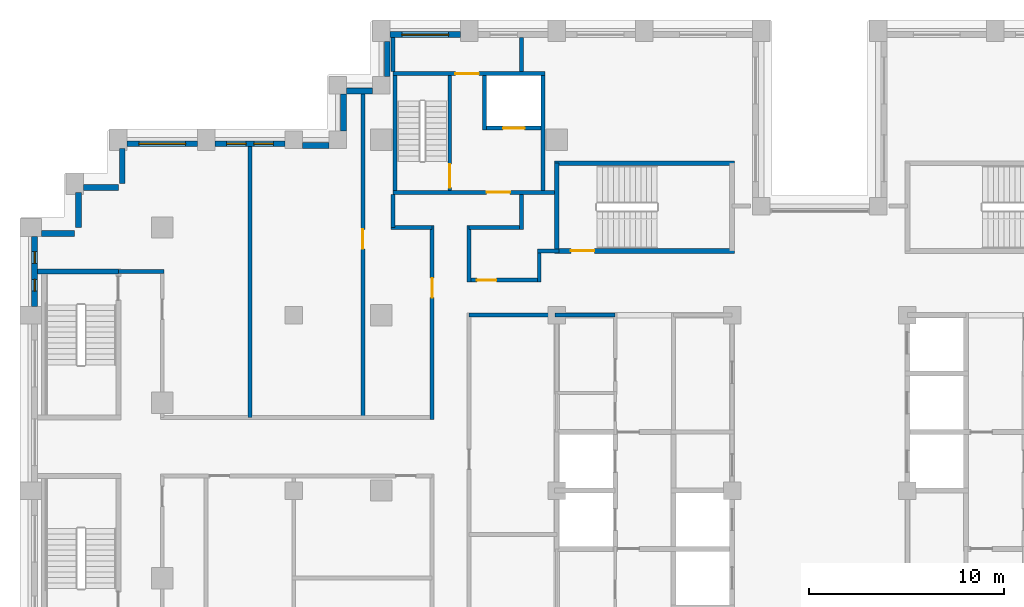
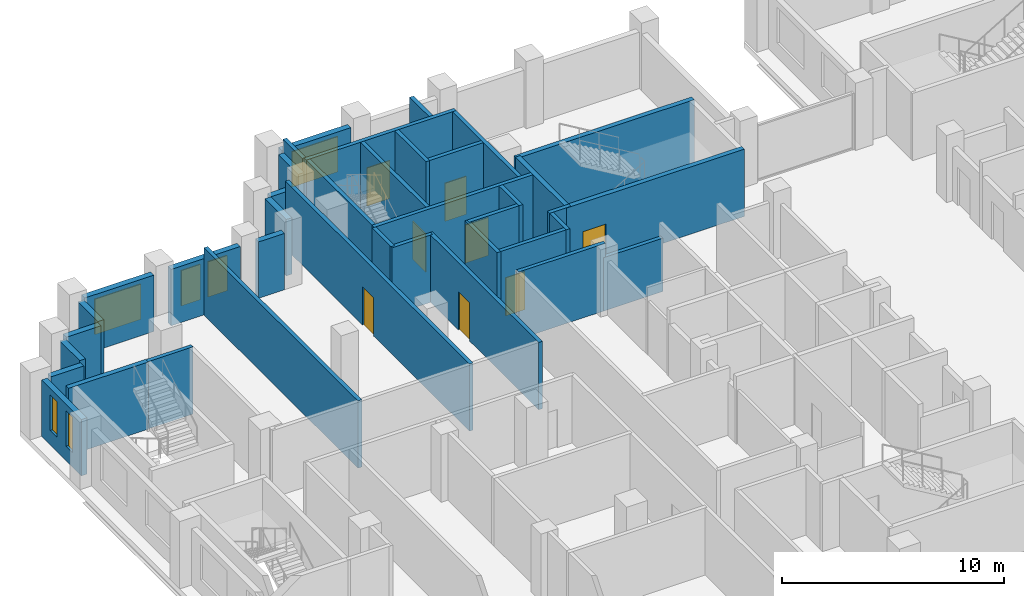
# One storey, part 10 of 16: 39 walls, 8 doors, 6 windows, 14 openings.
"""IFC4 building model written with IfcOpenShell, lengths in metres."""

from ifc_helpers import new_model, si_unit, direction, frame, frame_2d, origin, place, context, subcontext, project, spatial, rectangle, extrude, material, layer, layer_set, type_object, element, fill, save


model = new_model("IFC4")

# Units and contexts
model_context = context("Model", 3, precision=1e-05, world=origin(), true_north=direction((0.0, 1.0)))
body_context = subcontext(model_context, "Body", "Model", "MODEL_VIEW")
ifc_project = project(units=[si_unit("LENGTHUNIT", "METRE"), si_unit("AREAUNIT", "SQUARE_METRE"), si_unit("VOLUMEUNIT", "CUBIC_METRE"), si_unit("PLANEANGLEUNIT", "RADIAN"), si_unit("MASSUNIT", "GRAM", prefix="KILO")], contexts=[model_context])

# Site, building, storey
site_placement = place(None, origin())
site = spatial("IfcSite", under=ifc_project, at=site_placement, CompositionType="ELEMENT")
building_placement = place(site_placement, origin())
building = spatial("IfcBuilding", under=site, at=building_placement, Name="Corbelhall Arena Tower", CompositionType="ELEMENT")
storey_placement = place(building_placement, frame((0.0, 0.0, 158.0)))
storey = spatial("IfcBuildingStorey", under=building, at=storey_placement, Name="L31", CompositionType="ELEMENT", Elevation=158.0)

# Walls
ifc_material_1 = material(Name="Precast concrete C40/50 with granite facing", Category="masonry")
ifc_layer_1 = layer(ifc_material_1, 0.300048828125)
ifc_layer_set_1 = layer_set([ifc_layer_1], Name="EV-IW1 Infill panel 300")
wall_type_1 = type_object("IfcWallType", Name="EV-IW1 Infill panel 300", PredefinedType="SOLIDWALL", material=ifc_layer_set_1)
for number, where, z_axis, x_axis, name in (
    (1, (-35.800048828125, 17.550048828125, 0.0), (0.0, 0.0, 1.0), (0.0, -1.0, 0.0), "Infill panel IW1"),
    (2, (-37.800048828125, 15.550048828125, 0.0), (0.0, 0.0, 1.0), (1.0, 0.0, 0.0), "Infill panel IW1"),
    (3, (-38.050048828125, 15.300048828125, 0.0), (0.0, 0.0, 1.0), (0.0, -1.0, 0.0), "Infill panel IW1"),
):
    element("IfcWall", number, at=place(storey_placement, frame(where, z_axis=z_axis, x_axis=x_axis)), inside=storey, type_object=wall_type_1, Name=name, PredefinedType="SOLIDWALL", context=body_context, shape_type="SweptSolid", body=[
        extrude(rectangle(XDim=1.800048828125, YDim=0.300048828125, at=frame_2d((0.89990234375, 0.0))), origin(), (0.0, 0.0, 1.0), 3.10009765625),
    ])
wall_1_placement = place(storey_placement, frame((-39.949951171875, 13.199951171875, 0.0), z_axis=(0.0, 0.0, 1.0), x_axis=(1.0, 0.0, 0.0)))
element("IfcWall", 4, at=wall_1_placement, inside=storey, type_object=wall_type_1, Name="Infill panel IW1", PredefinedType="SOLIDWALL", context=body_context, shape_type="SweptSolid", body=[
    extrude(rectangle(XDim=1.699951171875, YDim=0.300048828125, at=frame_2d((0.85009765625, 0.0))), origin(), (0.0, 0.0, 1.0), 3.10009765625),
])
wall_2_placement = place(storey_placement, frame((-22.199951171875, 23.050048828125, 0.0), z_axis=(0.0, 0.0, 1.0), x_axis=(0.0, -1.0, 0.0)))
element("IfcWall", 5, at=wall_2_placement, inside=storey, type_object=wall_type_1, Name="Infill panel IW1", PredefinedType="SOLIDWALL", context=body_context, shape_type="SweptSolid", body=[
    extrude(rectangle(XDim=1.800048828125, YDim=0.300048828125, at=frame_2d((0.89990234375, 0.0))), origin(), (0.0, 0.0, 1.0), 3.10009765625),
])
wall_3_placement = place(storey_placement, frame((-22.949951171875, 20.5, 0.0), z_axis=(0.0, 0.0, 1.0), x_axis=(-1.0, 0.0, 0.0)))
element("IfcWall", 6, at=wall_3_placement, inside=storey, type_object=wall_type_1, Name="Infill panel IW1", PredefinedType="SOLIDWALL", context=body_context, shape_type="SweptSolid", body=[
    extrude(rectangle(XDim=1.35009765625, YDim=0.300048828125, at=frame_2d((0.675048828125, 0.0))), origin(), (0.0, 0.0, 1.0), 3.10009765625),
])
wall_4_placement = place(storey_placement, frame((-24.449951171875, 20.35009765625, 0.0), z_axis=(0.0, 0.0, 1.0), x_axis=(0.0, -1.0, 0.0)))
element("IfcWall", 7, at=wall_4_placement, inside=storey, type_object=wall_type_1, Name="Infill panel IW1", PredefinedType="SOLIDWALL", context=body_context, shape_type="SweptSolid", body=[
    extrude(rectangle(XDim=1.900146484375, YDim=0.300048828125, at=frame_2d((0.9501953125, 0.0))), origin(), (0.0, 0.0, 1.0), 3.10009765625),
])
wall_5_placement = place(storey_placement, frame((-25.199951171875, 17.699951171875, 0.0), z_axis=(0.0, 0.0, 1.0), x_axis=(-1.0, 0.0, 0.0)))
element("IfcWall", 8, at=wall_5_placement, inside=storey, type_object=wall_type_1, Name="Infill panel IW1", PredefinedType="SOLIDWALL", context=body_context, shape_type="SweptSolid", body=[
    extrude(rectangle(XDim=1.35009765625, YDim=0.300048828125, at=frame_2d((0.675048828125, 0.0))), origin(), (0.0, 0.0, 1.0), 3.10009765625),
])

# Wall, openings, windows
wall_6_placement = place(storey_placement, frame((-27.449951171875, 17.800048828125, 0.0), z_axis=(0.0, 0.0, 1.0), x_axis=(-1.0, 0.0, 0.0)))
wall_6 = element("IfcWall", 9, at=wall_6_placement, inside=storey, type_object=wall_type_1, Name="Infill panel IW1", PredefinedType="SOLIDWALL", context=body_context, shape_type="SweptSolid", body=[
    extrude(rectangle(XDim=3.60009765625, YDim=0.300048828125, at=frame_2d((1.800048828125, 0.0))), origin(), (0.0, 0.0, 1.0), 3.10009765625),
])
opening_1_placement = place(wall_6_placement, frame((0.60009765625, 0.0, 0.800048828125)))
opening_1 = element("IfcOpeningElement", 10, at=opening_1_placement, cuts=wall_6, Name="Opening WN6", PredefinedType="OPENING", context=body_context, shape_type="SweptSolid", body=[
    extrude(rectangle(XDim=1.0, YDim=1.949951171875, at=frame_2d((0.5, 0.97509765625))), frame((0.0, 0.14990234375, 0.0), z_axis=(0.0, -1.0, 0.0), x_axis=(1.0, 0.0, 0.0)), (0.0, 0.0, 1.0), 0.300048828125),
])
opening_2_placement = place(wall_6_placement, frame((2.0, 0.0, 0.800048828125)))
opening_2 = element("IfcOpeningElement", 11, at=opening_2_placement, cuts=wall_6, Name="Opening WN6", PredefinedType="OPENING", context=body_context, shape_type="SweptSolid", body=[
    extrude(rectangle(XDim=1.0, YDim=1.949951171875, at=frame_2d((0.5, 0.97509765625))), frame((0.0, 0.14990234375, 0.0), z_axis=(0.0, -1.0, 0.0), x_axis=(1.0, 0.0, 0.0)), (0.0, 0.0, 1.0), 0.300048828125),
])
ifc_material_2 = material(Name="Aluminium black anodised", Category="aluminium")
window_type_1 = type_object("IfcWindowType", Name="EV-WN6 Office window 1000", PartitioningType="SINGLE_PANEL", PredefinedType="WINDOW", material=ifc_material_2)
window_1_placement = place(opening_1_placement, origin())
window_1 = element("IfcWindow", 12, at=window_1_placement, inside=storey, type_object=window_type_1, Name="Window WN6", OverallHeight=1.949951171875, OverallWidth=1.0, PartitioningType="SINGLE_PANEL", PredefinedType="WINDOW", context=body_context, shape_type="SweptSolid", body=[
    extrude(rectangle(XDim=1.0, YDim=1.949951171875, at=frame_2d((0.5, 0.97509765625))), frame((0.0, 0.030029296875, 0.0), z_axis=(0.0, -1.0, 0.0), x_axis=(1.0, 0.0, 0.0)), (0.0, 0.0, 1.0), 0.06005859375),
])
fill(opening_1, window_1)
window_2_placement = place(opening_2_placement, origin())
window_2 = element("IfcWindow", 13, at=window_2_placement, inside=storey, type_object=window_type_1, Name="Window WN6", OverallHeight=1.949951171875, OverallWidth=1.0, PartitioningType="SINGLE_PANEL", PredefinedType="WINDOW", context=body_context, shape_type="SweptSolid", body=[
    extrude(rectangle(XDim=1.0, YDim=1.949951171875, at=frame_2d((0.5, 0.97509765625))), frame((0.0, 0.030029296875, 0.0), z_axis=(0.0, -1.0, 0.0), x_axis=(1.0, 0.0, 0.0)), (0.0, 0.0, 1.0), 0.06005859375),
])
fill(opening_2, window_2)

# Wall, opening, window
wall_7_placement = place(storey_placement, frame((-31.949951171875, 17.800048828125, 0.0), z_axis=(0.0, 0.0, 1.0), x_axis=(-1.0, 0.0, 0.0)))
wall_7 = element("IfcWall", 14, at=wall_7_placement, inside=storey, type_object=wall_type_1, Name="Infill panel IW1", PredefinedType="SOLIDWALL", context=body_context, shape_type="SweptSolid", body=[
    extrude(rectangle(XDim=3.60009765625, YDim=0.300048828125, at=frame_2d((1.800048828125, 0.0))), origin(), (0.0, 0.0, 1.0), 3.10009765625),
])
opening_3_placement = place(wall_7_placement, frame((0.60009765625, 0.0, 0.800048828125)))
opening_3 = element("IfcOpeningElement", 15, at=opening_3_placement, cuts=wall_7, Name="Opening WN1", PredefinedType="OPENING", context=body_context, shape_type="SweptSolid", body=[
    extrude(rectangle(XDim=2.39990234375, YDim=1.949951171875, at=frame_2d((1.199951171875, 0.97509765625))), frame((0.0, 0.14990234375, 0.0), z_axis=(0.0, -1.0, 0.0), x_axis=(1.0, 0.0, 0.0)), (0.0, 0.0, 1.0), 0.300048828125),
])
window_type_2 = type_object("IfcWindowType", Name="EV-WN1 Office window", PartitioningType="SINGLE_PANEL", PredefinedType="WINDOW", material=ifc_material_2)
window_3_placement = place(opening_3_placement, origin())
window_3 = element("IfcWindow", 16, at=window_3_placement, inside=storey, type_object=window_type_2, Name="Window WN1", OverallHeight=1.949951171875, OverallWidth=2.39990234375, PartitioningType="SINGLE_PANEL", PredefinedType="WINDOW", context=body_context, shape_type="SweptSolid", body=[
    extrude(rectangle(XDim=2.39990234375, YDim=1.949951171875, at=frame_2d((1.199951171875, 0.97509765625))), frame((0.0, 0.030029296875, 0.0), z_axis=(0.0, -1.0, 0.0), x_axis=(1.0, 0.0, 0.0)), (0.0, 0.0, 1.0), 0.06005859375),
])
fill(opening_3, window_3)

# Wall, openings, windows
wall_8_placement = place(storey_placement, frame((-40.300048828125, 13.050048828125, 0.0), z_axis=(0.0, 0.0, 1.0), x_axis=(0.0, -1.0, 0.0)))
wall_8 = element("IfcWall", 17, at=wall_8_placement, inside=storey, type_object=wall_type_1, Name="Infill panel IW1", PredefinedType="SOLIDWALL", context=body_context, shape_type="SweptSolid", body=[
    extrude(rectangle(XDim=3.60009765625, YDim=0.300048828125, at=frame_2d((1.800048828125, 0.0))), origin(), (0.0, 0.0, 1.0), 3.10009765625),
])
opening_4_placement = place(wall_8_placement, frame((0.78759765625, 0.0, 0.800048828125)))
opening_4 = element("IfcOpeningElement", 18, at=opening_4_placement, cuts=wall_8, Name="Opening WN5", PredefinedType="OPENING", context=body_context, shape_type="SweptSolid", body=[
    extrude(rectangle(XDim=0.60009765625, YDim=1.949951171875, at=frame_2d((0.300048828125, 0.97509765625))), frame((0.0, 0.14990234375, 0.0), z_axis=(0.0, -1.0, 0.0), x_axis=(1.0, 0.0, 0.0)), (0.0, 0.0, 1.0), 0.300048828125),
])
opening_5_placement = place(wall_8_placement, frame((2.21240234375, 0.0, 0.800048828125)))
opening_5 = element("IfcOpeningElement", 19, at=opening_5_placement, cuts=wall_8, Name="Opening WN5", PredefinedType="OPENING", context=body_context, shape_type="SweptSolid", body=[
    extrude(rectangle(XDim=0.60009765625, YDim=1.949951171875, at=frame_2d((0.300048828125, 0.97509765625))), frame((0.0, 0.14990234375, 0.0), z_axis=(0.0, -1.0, 0.0), x_axis=(1.0, 0.0, 0.0)), (0.0, 0.0, 1.0), 0.300048828125),
])
window_type_3 = type_object("IfcWindowType", Name="EV-WN5 Office window 600", PartitioningType="SINGLE_PANEL", PredefinedType="WINDOW", material=ifc_material_2)
window_4_placement = place(opening_4_placement, origin())
window_4 = element("IfcWindow", 20, at=window_4_placement, inside=storey, type_object=window_type_3, Name="Window WN5", OverallHeight=1.949951171875, OverallWidth=0.60009765625, PartitioningType="SINGLE_PANEL", PredefinedType="WINDOW", context=body_context, shape_type="SweptSolid", body=[
    extrude(rectangle(XDim=0.60009765625, YDim=1.949951171875, at=frame_2d((0.300048828125, 0.97509765625))), frame((0.0, 0.030029296875, 0.0), z_axis=(0.0, -1.0, 0.0), x_axis=(1.0, 0.0, 0.0)), (0.0, 0.0, 1.0), 0.06005859375),
])
fill(opening_4, window_4)
window_5_placement = place(opening_5_placement, origin())
window_5 = element("IfcWindow", 21, at=window_5_placement, inside=storey, type_object=window_type_3, Name="Window WN5", OverallHeight=1.949951171875, OverallWidth=0.60009765625, PartitioningType="SINGLE_PANEL", PredefinedType="WINDOW", context=body_context, shape_type="SweptSolid", body=[
    extrude(rectangle(XDim=0.60009765625, YDim=1.949951171875, at=frame_2d((0.300048828125, 0.97509765625))), frame((0.0, 0.030029296875, 0.0), z_axis=(0.0, -1.0, 0.0), x_axis=(1.0, 0.0, 0.0)), (0.0, 0.0, 1.0), 0.06005859375),
])
fill(opening_5, window_5)

# Wall, opening, window
wall_9_placement = place(storey_placement, frame((-18.449951171875, 23.39990234375, 0.0), z_axis=(0.0, 0.0, 1.0), x_axis=(-1.0, 0.0, 0.0)))
wall_9 = element("IfcWall", 22, at=wall_9_placement, inside=storey, type_object=wall_type_1, Name="Infill panel IW1", PredefinedType="SOLIDWALL", context=body_context, shape_type="SweptSolid", body=[
    extrude(rectangle(XDim=3.60009765625, YDim=0.300048828125, at=frame_2d((1.800048828125, 0.0))), origin(), (0.0, 0.0, 1.0), 3.10009765625),
])
opening_6_placement = place(wall_9_placement, frame((0.60009765625, 0.0, 0.800048828125)))
opening_6 = element("IfcOpeningElement", 23, at=opening_6_placement, cuts=wall_9, Name="Opening WN1", PredefinedType="OPENING", context=body_context, shape_type="SweptSolid", body=[
    extrude(rectangle(XDim=2.39990234375, YDim=1.949951171875, at=frame_2d((1.199951171875, 0.97509765625))), frame((0.0, 0.14990234375, 0.0), z_axis=(0.0, -1.0, 0.0), x_axis=(1.0, 0.0, 0.0)), (0.0, 0.0, 1.0), 0.300048828125),
])
window_6_placement = place(opening_6_placement, origin())
window_6 = element("IfcWindow", 24, at=window_6_placement, inside=storey, type_object=window_type_2, Name="Window WN1", OverallHeight=1.949951171875, OverallWidth=2.39990234375, PartitioningType="SINGLE_PANEL", PredefinedType="WINDOW", context=body_context, shape_type="SweptSolid", body=[
    extrude(rectangle(XDim=2.39990234375, YDim=1.949951171875, at=frame_2d((1.199951171875, 0.97509765625))), frame((0.0, 0.030029296875, 0.0), z_axis=(0.0, -1.0, 0.0), x_axis=(1.0, 0.0, 0.0)), (0.0, 0.0, 1.0), 0.06005859375),
])
fill(opening_6, window_6)

# Walls
ifc_material_3 = material(Name="Gypsum board on steel stud, acoustic", Category="steel")
ifc_layer_2 = layer(ifc_material_3, 0.199951171875)
ifc_layer_set_2 = layer_set([ifc_layer_2], Name="IN-W-DM200")
wall_type_2 = type_object("IfcWallType", Name="IN-W-DM200", PredefinedType="PARTITIONING", material=ifc_layer_set_2)
wall_10_placement = place(storey_placement, frame((-36.0, 11.25, 0.0), z_axis=(0.0, 0.0, 1.0), x_axis=(1.0, 0.0, 0.0)))
element("IfcWall", 25, at=wall_10_placement, inside=storey, type_object=wall_type_2, Name="Partition 001", PredefinedType="PARTITIONING", context=body_context, shape_type="SweptSolid", body=[
    extrude(rectangle(XDim=2.35009765625, YDim=0.199951171875, at=frame_2d((1.175048828125, 0.0))), origin(), (0.0, 0.0, 1.0), 3.699951171875),
])
wall_11_placement = place(storey_placement, frame((-29.25, 3.75, 0.0), z_axis=(0.0, 0.0, 1.0), x_axis=(0.0, 1.0, 0.0)))
element("IfcWall", 26, at=wall_11_placement, inside=storey, type_object=wall_type_2, Name="Partition 008", PredefinedType="PARTITIONING", context=body_context, shape_type="SweptSolid", body=[
    extrude(rectangle(XDim=13.89990234375, YDim=0.199951171875, at=frame_2d((6.949951171875, 0.0))), origin(), (0.0, 0.0, 1.0), 3.699951171875),
])

# Wall, opening, door
wall_12_placement = place(storey_placement, frame((-23.449951171875, 3.75, 0.0), z_axis=(0.0, 0.0, 1.0), x_axis=(0.0, 1.0, 0.0)))
wall_12 = element("IfcWall", 27, at=wall_12_placement, inside=storey, type_object=wall_type_2, Name="Partition 012", PredefinedType="PARTITIONING", context=body_context, shape_type="SweptSolid", body=[
    extrude(rectangle(XDim=16.60009765625, YDim=0.199951171875, at=frame_2d((8.300048828125, 0.0))), origin(), (0.0, 0.0, 1.0), 3.699951171875),
])
opening_7_placement = place(wall_12_placement, frame((8.64990234375, 0.0, 0.0)))
opening_7 = element("IfcOpeningElement", 28, at=opening_7_placement, cuts=wall_12, Name="Opening 08032", PredefinedType="OPENING", context=body_context, shape_type="SweptSolid", body=[
    extrude(rectangle(XDim=1.0, YDim=2.10009765625, at=frame_2d((0.5, 1.050048828125))), frame((0.0, 0.10009765625, 0.0), z_axis=(0.0, -1.0, 0.0), x_axis=(1.0, 0.0, 0.0)), (0.0, 0.0, 1.0), 0.199951171875),
])
ifc_material_4 = material(Name="Steel door set", Category="steel")
door_type_1 = type_object("IfcDoorType", Name="IN-D-SW100", OperationType="NOTDEFINED", PredefinedType="DOOR", material=ifc_material_4)
door_1_placement = place(opening_7_placement, origin())
door_1 = element("IfcDoor", 29, at=door_1_placement, inside=storey, type_object=door_type_1, Name="Door 032", OperationType="SINGLE_SWING_LEFT", OverallHeight=2.10009765625, OverallWidth=1.0, PredefinedType="DOOR", context=body_context, shape_type="SweptSolid", body=[
    extrude(rectangle(XDim=1.0, YDim=2.10009765625, at=frame_2d((0.5, 1.050048828125))), frame((0.0, 0.02490234375, 0.0), z_axis=(0.0, -1.0, 0.0), x_axis=(1.0, 0.0, 0.0)), (0.0, 0.0, 1.0), 0.050048828125),
])
fill(opening_7, door_1)

# Walls
wall_13_placement = place(storey_placement, frame((-21.89990234375, 13.5, 0.0), z_axis=(0.0, 0.0, 1.0), x_axis=(0.0, 1.0, 0.0)))
element("IfcWall", 30, at=wall_13_placement, inside=storey, type_object=wall_type_2, Name="Partition 013", PredefinedType="PARTITIONING", context=body_context, shape_type="SweptSolid", body=[
    extrude(rectangle(XDim=1.699951171875, YDim=0.199951171875, at=frame_2d((0.85009765625, 0.0))), origin(), (0.0, 0.0, 1.0), 3.699951171875),
])
wall_14_placement = place(storey_placement, frame((-21.89990234375, 21.5, 0.0), z_axis=(0.0, 0.0, 1.0), x_axis=(0.0, 1.0, 0.0)))
element("IfcWall", 31, at=wall_14_placement, inside=storey, type_object=wall_type_2, Name="Partition 014", PredefinedType="PARTITIONING", context=body_context, shape_type="SweptSolid", body=[
    extrude(rectangle(XDim=1.75, YDim=0.199951171875, at=frame_2d((0.875, 0.0))), origin(), (0.0, 0.0, 1.0), 3.699951171875),
])

# Wall, opening, door
wall_15_placement = place(storey_placement, frame((-19.89990234375, 3.64990234375, 0.0), z_axis=(0.0, 0.0, 1.0), x_axis=(0.0, 1.0, 0.0)))
wall_15 = element("IfcWall", 32, at=wall_15_placement, inside=storey, type_object=wall_type_2, Name="Partition 016", PredefinedType="PARTITIONING", context=body_context, shape_type="SweptSolid", body=[
    extrude(rectangle(XDim=9.9501953125, YDim=0.199951171875, at=frame_2d((4.97509765625, 0.0))), origin(), (0.0, 0.0, 1.0), 3.699951171875),
])
opening_8_placement = place(wall_15_placement, frame((6.25, 0.0, 0.0)))
opening_8 = element("IfcOpeningElement", 33, at=opening_8_placement, cuts=wall_15, Name="Opening 08031", PredefinedType="OPENING", context=body_context, shape_type="SweptSolid", body=[
    extrude(rectangle(XDim=1.0, YDim=2.10009765625, at=frame_2d((0.5, 1.050048828125))), frame((0.0, 0.10009765625, 0.0), z_axis=(0.0, -1.0, 0.0), x_axis=(1.0, 0.0, 0.0)), (0.0, 0.0, 1.0), 0.199951171875),
])
door_2_placement = place(opening_8_placement, origin())
door_2 = element("IfcDoor", 34, at=door_2_placement, inside=storey, type_object=door_type_1, Name="Door 031", OperationType="SINGLE_SWING_RIGHT", OverallHeight=2.10009765625, OverallWidth=1.0, PredefinedType="DOOR", context=body_context, shape_type="SweptSolid", body=[
    extrude(rectangle(XDim=1.0, YDim=2.10009765625, at=frame_2d((0.5, 1.050048828125))), frame((0.0, 0.02490234375, 0.0), z_axis=(0.0, -1.0, 0.0), x_axis=(1.0, 0.0, 0.0)), (0.0, 0.0, 1.0), 0.050048828125),
])
fill(opening_8, door_2)

# Wall
wall_16_placement = place(storey_placement, frame((-19.89990234375, 13.5, 0.0), z_axis=(0.0, 0.0, 1.0), x_axis=(-1.0, 0.0, 0.0)))
element("IfcWall", 35, at=wall_16_placement, inside=storey, type_object=wall_type_2, Name="Partition 017", PredefinedType="PARTITIONING", context=body_context, shape_type="SweptSolid", body=[
    extrude(rectangle(XDim=2.10009765625, YDim=0.199951171875, at=frame_2d((1.050048828125, 0.0))), origin(), (0.0, 0.0, 1.0), 3.699951171875),
])

# Wall, opening, door
wall_17_placement = place(storey_placement, frame((-18.0, 10.800048828125, 0.0), z_axis=(0.0, 0.0, 1.0), x_axis=(1.0, 0.0, 0.0)))
wall_17 = element("IfcWall", 36, at=wall_17_placement, inside=storey, type_object=wall_type_2, Name="Partition 022", PredefinedType="PARTITIONING", context=body_context, shape_type="SweptSolid", body=[
    extrude(rectangle(XDim=3.60009765625, YDim=0.199951171875, at=frame_2d((1.800048828125, 0.0))), origin(), (0.0, 0.0, 1.0), 3.699951171875),
])
opening_9_placement = place(wall_17_placement, frame((0.39990234375, 0.0, 0.0)))
opening_9 = element("IfcOpeningElement", 37, at=opening_9_placement, cuts=wall_17, Name="Opening 08027", PredefinedType="OPENING", context=body_context, shape_type="SweptSolid", body=[
    extrude(rectangle(XDim=1.0, YDim=2.10009765625, at=frame_2d((0.5, 1.050048828125))), frame((0.0, 0.10009765625, 0.0), z_axis=(0.0, -1.0, 0.0), x_axis=(1.0, 0.0, 0.0)), (0.0, 0.0, 1.0), 0.199951171875),
])
door_3_placement = place(opening_9_placement, origin())
door_3 = element("IfcDoor", 38, at=door_3_placement, inside=storey, type_object=door_type_1, Name="Door 027", OperationType="SINGLE_SWING_RIGHT", OverallHeight=2.10009765625, OverallWidth=1.0, PredefinedType="DOOR", context=body_context, shape_type="SweptSolid", body=[
    extrude(rectangle(XDim=1.0, YDim=2.10009765625, at=frame_2d((0.5, 1.050048828125))), frame((0.0, 0.02490234375, 0.0), z_axis=(0.0, -1.0, 0.0), x_axis=(1.0, 0.0, 0.0)), (0.0, 0.0, 1.0), 0.050048828125),
])
fill(opening_9, door_3)

# Walls
wall_18_placement = place(storey_placement, frame((-18.0, 13.60009765625, 0.0), z_axis=(0.0, 0.0, 1.0), x_axis=(0.0, -1.0, 0.0)))
element("IfcWall", 39, at=wall_18_placement, inside=storey, type_object=wall_type_2, Name="Partition 023", PredefinedType="PARTITIONING", context=body_context, shape_type="SweptSolid", body=[
    extrude(rectangle(XDim=2.900146484375, YDim=0.199951171875, at=frame_2d((1.4501953125, 0.0))), origin(), (0.0, 0.0, 1.0), 3.699951171875),
])
wall_19_placement = place(storey_placement, frame((-15.300048828125, 13.5, 0.0), z_axis=(0.0, 0.0, 1.0), x_axis=(-1.0, 0.0, 0.0)))
element("IfcWall", 40, at=wall_19_placement, inside=storey, type_object=wall_type_2, Name="Partition 024", PredefinedType="PARTITIONING", context=body_context, shape_type="SweptSolid", body=[
    extrude(rectangle(XDim=2.699951171875, YDim=0.199951171875, at=frame_2d((1.35009765625, 0.0))), origin(), (0.0, 0.0, 1.0), 3.699951171875),
])
wall_20_placement = place(storey_placement, frame((-15.300048828125, 15.199951171875, 0.0), z_axis=(0.0, 0.0, 1.0), x_axis=(0.0, -1.0, 0.0)))
element("IfcWall", 41, at=wall_20_placement, inside=storey, type_object=wall_type_2, Name="Partition 025", PredefinedType="PARTITIONING", context=body_context, shape_type="SweptSolid", body=[
    extrude(rectangle(XDim=1.800048828125, YDim=0.199951171875, at=frame_2d((0.89990234375, 0.0))), origin(), (0.0, 0.0, 1.0), 3.699951171875),
])
wall_21_placement = place(storey_placement, frame((-15.300048828125, 23.25, 0.0), z_axis=(0.0, 0.0, 1.0), x_axis=(0.0, -1.0, 0.0)))
element("IfcWall", 42, at=wall_21_placement, inside=storey, type_object=wall_type_2, Name="Partition 026", PredefinedType="PARTITIONING", context=body_context, shape_type="SweptSolid", body=[
    extrude(rectangle(XDim=1.75, YDim=0.199951171875, at=frame_2d((0.875, 0.0))), origin(), (0.0, 0.0, 1.0), 3.699951171875),
])
wall_22_placement = place(storey_placement, frame((-14.5, 12.300048828125, 0.0), z_axis=(0.0, 0.0, 1.0), x_axis=(1.0, 0.0, 0.0)))
element("IfcWall", 43, at=wall_22_placement, inside=storey, type_object=wall_type_2, Name="Partition 027", PredefinedType="PARTITIONING", context=body_context, shape_type="SweptSolid", body=[
    extrude(rectangle(XDim=1.125, YDim=0.199951171875, at=frame_2d((0.5625, 0.0))), origin(), (0.0, 0.0, 1.0), 3.699951171875),
])
wall_23_placement = place(storey_placement, frame((-13.5, 9.0, 0.0), z_axis=(0.0, 0.0, 1.0), x_axis=(-1.0, 0.0, 0.0)))
element("IfcWall", 44, at=wall_23_placement, inside=storey, type_object=wall_type_2, Name="Partition 030", PredefinedType="PARTITIONING", context=body_context, shape_type="SweptSolid", body=[
    extrude(rectangle(XDim=4.5, YDim=0.199951171875, at=frame_2d((2.25, 0.0))), origin(), (0.0, 0.0, 1.0), 3.699951171875),
])
wall_24_placement = place(storey_placement, frame((-14.39990234375, 10.699951171875, 0.0), z_axis=(0.0, 0.0, 1.0), x_axis=(0.0, 1.0, 0.0)))
element("IfcWall", 45, at=wall_24_placement, inside=storey, type_object=wall_type_2, Name="Partition 031", PredefinedType="PARTITIONING", context=body_context, shape_type="SweptSolid", body=[
    extrude(rectangle(XDim=1.60009765625, YDim=0.199951171875, at=frame_2d((0.800048828125, 0.0))), origin(), (0.0, 0.0, 1.0), 3.699951171875),
])

# Wall, opening, door
ifc_material_5 = material(Name="Concrete C40/50", Category="concrete")
ifc_layer_3 = layer(ifc_material_5, 0.199951171875)
ifc_layer_set_3 = layer_set([ifc_layer_3], Name="IN-W-EAR200")
wall_type_3 = type_object("IfcWallType", Name="IN-W-EAR200", PredefinedType="SOLIDWALL", material=ifc_layer_set_3)
wall_25_placement = place(storey_placement, frame((-21.89990234375, 15.300048828125, 0.0), z_axis=(0.0, 0.0, 1.0), x_axis=(1.0, 0.0, 0.0)))
wall_25 = element("IfcWall", 46, at=wall_25_placement, inside=storey, type_object=wall_type_3, Name="Fire service turret wall south", PredefinedType="SOLIDWALL", context=body_context, shape_type="SweptSolid", body=[
    extrude(rectangle(XDim=8.27490234375, YDim=0.199951171875, at=frame_2d((4.137451171875, 0.0))), origin(), (0.0, 0.0, 1.0), 3.699951171875),
])
opening_10_placement = place(wall_25_placement, frame((4.800048828125, 0.0, 0.0)))
opening_10 = element("IfcOpeningElement", 47, at=opening_10_placement, cuts=wall_25, Name="Opening E082", PredefinedType="OPENING", context=body_context, shape_type="SweptSolid", body=[
    extrude(rectangle(XDim=1.199951171875, YDim=2.10009765625, at=frame_2d((0.60009765625, 1.050048828125))), frame((0.0, 0.10009765625, 0.0), z_axis=(0.0, -1.0, 0.0), x_axis=(1.0, 0.0, 0.0)), (0.0, 0.0, 1.0), 0.199951171875),
])
door_type_2 = type_object("IfcDoorType", Name="IN-D-ST120", OperationType="NOTDEFINED", PredefinedType="DOOR", material=ifc_material_4)
door_4_placement = place(opening_10_placement, origin())
door_4 = element("IfcDoor", 48, at=door_4_placement, inside=storey, type_object=door_type_2, Name="Door from fire service lift lobby to circulation", OperationType="SINGLE_SWING_RIGHT", OverallHeight=2.10009765625, OverallWidth=1.199951171875, PredefinedType="DOOR", context=body_context, shape_type="SweptSolid", body=[
    extrude(rectangle(XDim=1.199951171875, YDim=2.10009765625, at=frame_2d((0.60009765625, 1.050048828125))), frame((0.0, 0.02490234375, 0.0), z_axis=(0.0, -1.0, 0.0), x_axis=(1.0, 0.0, 0.0)), (0.0, 0.0, 1.0), 0.050048828125),
])
fill(opening_10, door_4)

wall_26_placement = place(storey_placement, frame((-21.89990234375, 21.39990234375, 0.0), z_axis=(0.0, 0.0, 1.0), x_axis=(1.0, 0.0, 0.0)))
wall_26 = element("IfcWall", 49, at=wall_26_placement, inside=storey, type_object=wall_type_3, Name="Fire service turret wall north", PredefinedType="SOLIDWALL", context=body_context, shape_type="SweptSolid", body=[
    extrude(rectangle(XDim=7.7998046875, YDim=0.199951171875, at=frame_2d((3.89990234375, 0.0))), origin(), (0.0, 0.0, 1.0), 3.699951171875),
])
opening_11_placement = place(wall_26_placement, frame((3.199951171875, 0.0, 0.0)))
opening_11 = element("IfcOpeningElement", 50, at=opening_11_placement, cuts=wall_26, Name="Opening E083", PredefinedType="OPENING", context=body_context, shape_type="SweptSolid", body=[
    extrude(rectangle(XDim=1.199951171875, YDim=2.10009765625, at=frame_2d((0.60009765625, 1.050048828125))), frame((0.0, 0.10009765625, 0.0), z_axis=(0.0, -1.0, 0.0), x_axis=(1.0, 0.0, 0.0)), (0.0, 0.0, 1.0), 0.199951171875),
])
door_5_placement = place(opening_11_placement, origin())
door_5 = element("IfcDoor", 51, at=door_5_placement, inside=storey, type_object=door_type_2, Name="Door from fire service lift lobby to the north gallery", OperationType="SINGLE_SWING_LEFT", OverallHeight=2.10009765625, OverallWidth=1.199951171875, PredefinedType="DOOR", context=body_context, shape_type="SweptSolid", body=[
    extrude(rectangle(XDim=1.199951171875, YDim=2.10009765625, at=frame_2d((0.60009765625, 1.050048828125))), frame((0.0, 0.02490234375, 0.0), z_axis=(0.0, -1.0, 0.0), x_axis=(1.0, 0.0, 0.0)), (0.0, 0.0, 1.0), 0.050048828125),
])
fill(opening_11, door_5)

# Walls
for number, where, z_axis, x_axis, name in (
    (52, (-21.800048828125, 15.39990234375, 0.0), (0.0, 0.0, 1.0), (0.0, 1.0, 0.0), "Fire service turret wall west"),
    (53, (-14.199951171875, 15.39990234375, 0.0), (0.0, 0.0, 1.0), (0.0, 1.0, 0.0), "Fire service turret wall east"),
):
    element("IfcWall", number, at=place(storey_placement, frame(where, z_axis=z_axis, x_axis=x_axis)), inside=storey, type_object=wall_type_3, Name=name, PredefinedType="SOLIDWALL", context=body_context, shape_type="SweptSolid", body=[
        extrude(rectangle(XDim=5.900146484375, YDim=0.199951171875, at=frame_2d((2.9501953125, 0.0))), origin(), (0.0, 0.0, 1.0), 3.699951171875),
    ])

# Wall, opening, door
wall_27_placement = place(storey_placement, frame((-18.989990234375, 15.39990234375, 0.0), z_axis=(0.0, 0.0, 1.0), x_axis=(0.0, 1.0, 0.0)))
wall_27 = element("IfcWall", 54, at=wall_27_placement, inside=storey, type_object=wall_type_3, Name="Fire service turret wall stair", PredefinedType="SOLIDWALL", context=body_context, shape_type="SweptSolid", body=[
    extrude(rectangle(XDim=5.900146484375, YDim=0.199951171875, at=frame_2d((2.9501953125, 0.0))), origin(), (0.0, 0.0, 1.0), 3.699951171875),
])
opening_12_placement = place(wall_27_placement, frame((0.14990234375, 0.0, 0.0)))
opening_12 = element("IfcOpeningElement", 55, at=opening_12_placement, cuts=wall_27, Name="Opening E081", PredefinedType="OPENING", context=body_context, shape_type="SweptSolid", body=[
    extrude(rectangle(XDim=1.199951171875, YDim=2.10009765625, at=frame_2d((0.60009765625, 1.050048828125))), frame((0.0, 0.10009765625, 0.0), z_axis=(0.0, -1.0, 0.0), x_axis=(1.0, 0.0, 0.0)), (0.0, 0.0, 1.0), 0.199951171875),
])
door_6_placement = place(opening_12_placement, origin())
door_6 = element("IfcDoor", 56, at=door_6_placement, inside=storey, type_object=door_type_2, Name="Stair door to fire service lobby", OperationType="SINGLE_SWING_LEFT", OverallHeight=2.10009765625, OverallWidth=1.199951171875, PredefinedType="DOOR", context=body_context, shape_type="SweptSolid", body=[
    extrude(rectangle(XDim=1.199951171875, YDim=2.10009765625, at=frame_2d((0.60009765625, 1.050048828125))), frame((0.0, 0.02490234375, 0.0), z_axis=(0.0, -1.0, 0.0), x_axis=(1.0, 0.0, 0.0)), (0.0, 0.0, 1.0), 0.050048828125),
])
fill(opening_12, door_6)

# Wall
wall_28_placement = place(storey_placement, frame((-17.199951171875, 18.5, 0.0), z_axis=(0.0, 0.0, 1.0), x_axis=(0.0, 1.0, 0.0)))
element("IfcWall", 57, at=wall_28_placement, inside=storey, type_object=wall_type_3, Name="Fire service turret wall hoistway west", PredefinedType="SOLIDWALL", context=body_context, shape_type="SweptSolid", body=[
    extrude(rectangle(XDim=2.800048828125, YDim=0.199951171875, at=frame_2d((1.39990234375, 0.0))), origin(), (0.0, 0.0, 1.0), 3.699951171875),
])

# Wall, opening, door
wall_29_placement = place(storey_placement, frame((-17.10009765625, 18.60009765625, 0.0), z_axis=(0.0, 0.0, 1.0), x_axis=(1.0, 0.0, 0.0)))
wall_29 = element("IfcWall", 58, at=wall_29_placement, inside=storey, type_object=wall_type_3, Name="Fire service turret wall hoistway south", PredefinedType="SOLIDWALL", context=body_context, shape_type="SweptSolid", body=[
    extrude(rectangle(XDim=2.800048828125, YDim=0.199951171875, at=frame_2d((1.39990234375, 0.0))), origin(), (0.0, 0.0, 1.0), 3.699951171875),
])
opening_13_placement = place(wall_29_placement, frame((0.85009765625, 0.0, 0.0)))
opening_13 = element("IfcOpeningElement", 59, at=opening_13_placement, cuts=wall_29, Name="Opening LD", PredefinedType="OPENING", context=body_context, shape_type="SweptSolid", body=[
    extrude(rectangle(XDim=1.10009765625, YDim=2.10009765625, at=frame_2d((0.550048828125, 1.050048828125))), frame((0.0, 0.10009765625, 0.0), z_axis=(0.0, -1.0, 0.0), x_axis=(1.0, 0.0, 0.0)), (0.0, 0.0, 1.0), 0.199951171875),
])
door_type_3 = type_object("IfcDoorType", Name="IN-D-LD110", OperationType="NOTDEFINED", PredefinedType="DOOR", material=ifc_material_4)
door_7_placement = place(opening_13_placement, origin())
door_7 = element("IfcDoor", 60, at=door_7_placement, inside=storey, type_object=door_type_3, Name="Landing door FS1", OperationType="SLIDING_TO_LEFT", OverallHeight=2.10009765625, OverallWidth=1.10009765625, PredefinedType="DOOR", context=body_context, shape_type="SweptSolid", body=[
    extrude(rectangle(XDim=1.10009765625, YDim=2.10009765625, at=frame_2d((0.550048828125, 1.050048828125))), frame((0.0, 0.02490234375, 0.0), z_axis=(0.0, -1.0, 0.0), x_axis=(1.0, 0.0, 0.0)), (0.0, 0.0, 1.0), 0.050048828125),
])
fill(opening_13, door_7)

# Walls
ifc_material_6 = material(Name="Concrete block wall", Category="concrete")
ifc_layer_4 = layer(ifc_material_6, 0.199951171875)
ifc_layer_set_4 = layer_set([ifc_layer_4], Name="IN-W-RS200 under beam 762 mm")
wall_type_4 = type_object("IfcWallType", Name="IN-W-RS200 under beam 762 mm", PredefinedType="SOLIDWALL", material=ifc_layer_set_4)
wall_30_placement = place(storey_placement, frame((-13.60009765625, 9.0, 0.0), z_axis=(0.0, 0.0, 1.0), x_axis=(1.0, 0.0, 0.0)))
element("IfcWall", 61, at=wall_30_placement, inside=storey, type_object=wall_type_4, Name="Partition 064", PredefinedType="SOLIDWALL", context=body_context, shape_type="SweptSolid", body=[
    extrude(rectangle(XDim=3.10009765625, YDim=0.199951171875, at=frame_2d((1.550048828125, 0.0))), origin(), (0.0, 0.0, 1.0), 2.93798828125),
])
ifc_layer_5 = layer(ifc_material_5, 0.25)
ifc_layer_set_5 = layer_set([ifc_layer_5], Name="IN-W-ST250")
wall_type_5 = type_object("IfcWallType", Name="IN-W-ST250", PredefinedType="SOLIDWALL", material=ifc_layer_set_5)
wall_31_placement = place(storey_placement, frame((-40.14990234375, 11.25, 0.0), z_axis=(0.0, 0.0, 1.0), x_axis=(1.0, 0.0, 0.0)))
element("IfcWall", 62, at=wall_31_placement, inside=storey, type_object=wall_type_5, Name="Shaft wall 102", PredefinedType="SOLIDWALL", context=body_context, shape_type="SweptSolid", body=[
    extrude(rectangle(XDim=4.14990234375, YDim=0.25, at=frame_2d((2.074951171875, 0.0))), origin(), (0.0, 0.0, 1.0), 3.699951171875),
])

# Wall, opening, door
wall_32_placement = place(storey_placement, frame((-13.625, 12.300048828125, 0.0), z_axis=(0.0, 0.0, 1.0), x_axis=(1.0, 0.0, 0.0)))
wall_32 = element("IfcWall", 63, at=wall_32_placement, inside=storey, type_object=wall_type_5, Name="Shaft wall 107", PredefinedType="SOLIDWALL", context=body_context, shape_type="SweptSolid", body=[
    extrude(rectangle(XDim=9.25, YDim=0.25, at=frame_2d((4.625, 0.0))), origin(), (0.0, 0.0, 1.0), 3.699951171875),
])
opening_14_placement = place(wall_32_placement, frame((0.85009765625, 0.0, 0.0)))
opening_14 = element("IfcOpeningElement", 64, at=opening_14_placement, cuts=wall_32, Name="Opening 08015", PredefinedType="OPENING", context=body_context, shape_type="SweptSolid", body=[
    extrude(rectangle(XDim=1.199951171875, YDim=2.10009765625, at=frame_2d((0.60009765625, 1.050048828125))), frame((0.0, 0.125, 0.0), z_axis=(0.0, -1.0, 0.0), x_axis=(1.0, 0.0, 0.0)), (0.0, 0.0, 1.0), 0.25),
])
door_8_placement = place(opening_14_placement, origin())
door_8 = element("IfcDoor", 65, at=door_8_placement, inside=storey, type_object=door_type_2, Name="Door 015", OperationType="SINGLE_SWING_RIGHT", OverallHeight=2.10009765625, OverallWidth=1.199951171875, PredefinedType="DOOR", context=body_context, shape_type="SweptSolid", body=[
    extrude(rectangle(XDim=1.199951171875, YDim=2.10009765625, at=frame_2d((0.60009765625, 1.050048828125))), frame((0.0, 0.02490234375, 0.0), z_axis=(0.0, -1.0, 0.0), x_axis=(1.0, 0.0, 0.0)), (0.0, 0.0, 1.0), 0.050048828125),
])
fill(opening_14, door_8)

# Walls
wall_33_placement = place(storey_placement, frame((-13.625, 16.800048828125, 0.0), z_axis=(0.0, 0.0, 1.0), x_axis=(1.0, 0.0, 0.0)))
element("IfcWall", 66, at=wall_33_placement, inside=storey, type_object=wall_type_5, Name="Shaft wall 108", PredefinedType="SOLIDWALL", context=body_context, shape_type="SweptSolid", body=[
    extrude(rectangle(XDim=9.25, YDim=0.25, at=frame_2d((4.625, 0.0))), origin(), (0.0, 0.0, 1.0), 3.699951171875),
])
wall_34_placement = place(storey_placement, frame((-13.5, 12.300048828125, 0.0), z_axis=(0.0, 0.0, 1.0), x_axis=(0.0, 1.0, 0.0)))
element("IfcWall", 67, at=wall_34_placement, inside=storey, type_object=wall_type_5, Name="Shaft wall 110", PredefinedType="SOLIDWALL", context=body_context, shape_type="SweptSolid", body=[
    extrude(rectangle(XDim=4.5, YDim=0.25, at=frame_2d((2.25, 0.0))), origin(), (0.0, 0.0, 1.0), 3.699951171875),
])

save(model, "model.ifc")
